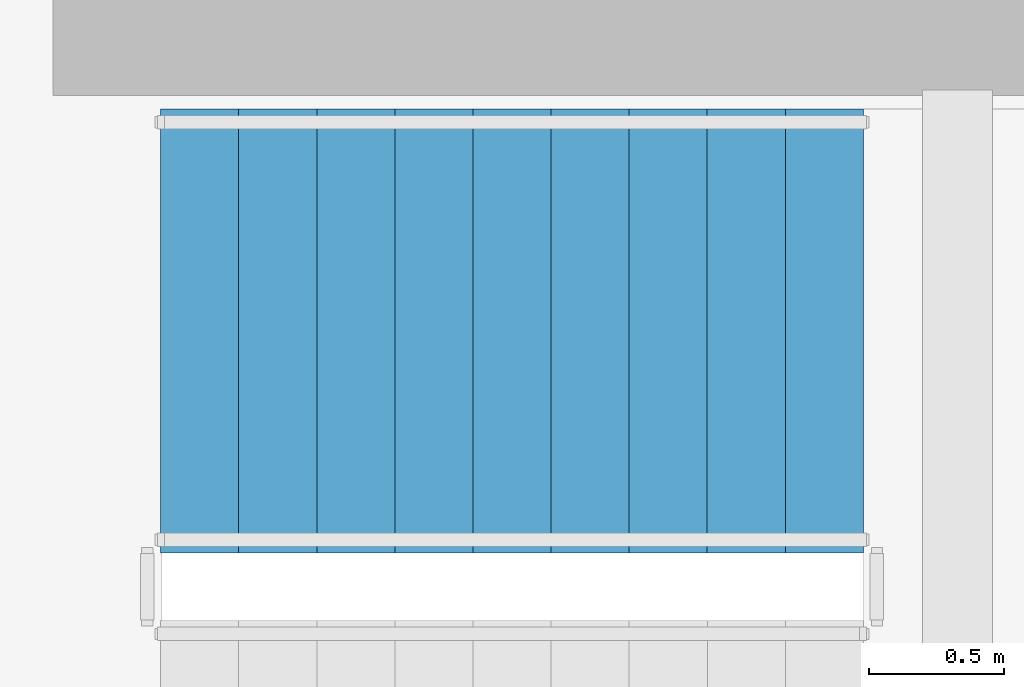
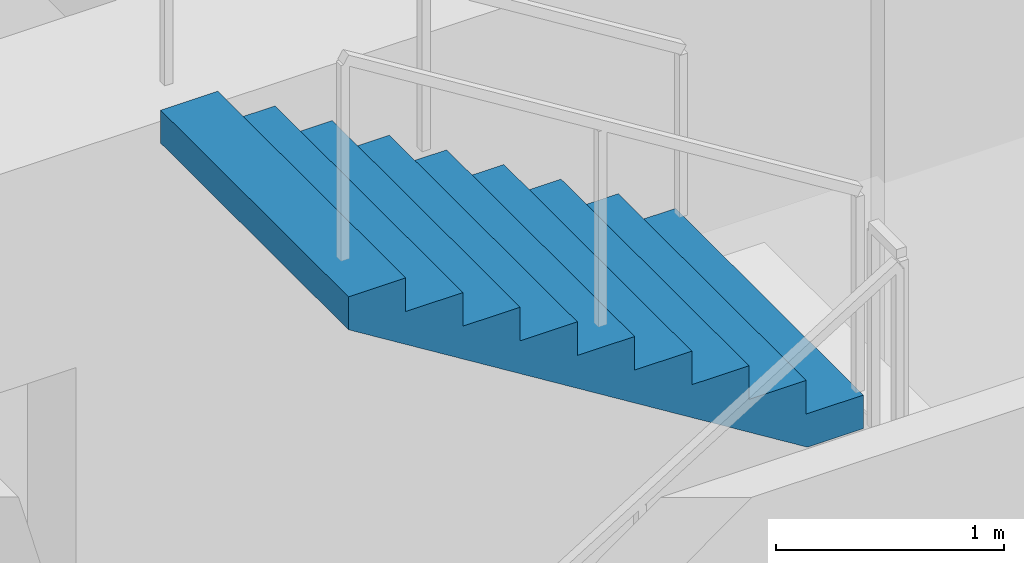
# One storey, part 12 of 14: 1 stair flight, 1 element without a shape of its own.
"""IFC4 building model written with IfcOpenShell, lengths in metres."""

from ifc_helpers import new_model, si_unit, derived_unit, direction, frame, origin, place, context, subcontext, project, spatial, polyline, outline, extrude, material, type_object, element, aggregate, save


model = new_model("IFC4")

# Units and contexts
model_context = context("Model", 3, precision=1e-05, world=origin(), true_north=direction((0.0, 1.0)))
body_context = subcontext(model_context, "Body", "Model", "MODEL_VIEW")
ifc_project = project(units=[si_unit("LENGTHUNIT", "METRE"), si_unit("AREAUNIT", "SQUARE_METRE"), si_unit("VOLUMEUNIT", "CUBIC_METRE"), si_unit("PLANEANGLEUNIT", "RADIAN"), si_unit("MASSUNIT", "GRAM", prefix="KILO"), derived_unit("THERMALTRANSMITTANCEUNIT", [(si_unit("POWERUNIT", "WATT"), 1), (si_unit("LENGTHUNIT", "METRE"), -2), (si_unit("THERMODYNAMICTEMPERATUREUNIT", "KELVIN"), -1)])], contexts=[model_context])

# Site, building, storey
site_placement = place(None, origin())
site = spatial("IfcSite", under=ifc_project, at=site_placement, CompositionType="ELEMENT")
building_placement = place(site_placement, origin())
building = spatial("IfcBuilding", under=site, at=building_placement, Name="Koralith Skygarden Medical Center", CompositionType="ELEMENT")
storey_placement = place(building_placement, frame((0.0, 0.0, 34.739990234375)))
storey = spatial("IfcBuildingStorey", under=building, at=storey_placement, Name="L08", CompositionType="ELEMENT", Elevation=34.739990234375)

# Stair, stair flight
ifc_material = material(Name="Concrete C45/55", Category="concrete")
stair_type = type_object("IfcStairType", Name="Core Exit Dogleg Concrete Stair", PredefinedType="HALF_TURN_STAIR", material=ifc_material)
stair_placement = place(storey_placement, origin())
stair = element("IfcStair", 1, at=stair_placement, inside=storey, type_object=stair_type, Name="L08 Smokeproof Exit Stair ST3", PredefinedType="HALF_TURN_STAIR")
stair_flight_type = type_object("IfcStairFlightType", Name="Core Exit Concrete Stair Flight 1650", PredefinedType="STRAIGHT", material=ifc_material)
stair_flight_placement = place(storey_placement, frame((35.409912109375, 33.175048828125, 1.800048828125), z_axis=(0.0, 0.0, 1.0), x_axis=(-1.0, 0.0, 0.0)))
stair_flight = element("IfcStairFlight", 2, at=stair_flight_placement, type_object=stair_flight_type, Name="ST3 flight 2", NumberOfRisers=10, NumberOfTreads=9, PredefinedType="STRAIGHT", RiserHeight=0.18, TreadLength=0.29, context=body_context, shape_type="SweptSolid", body=[
    extrude(outline(polyline([(0.0, 0.0), (0.0, 0.179931640625), (0.2900390625, 0.179931640625), (0.2900390625, 0.360107421875), (0.580078125, 0.360107421875), (0.580078125, 0.5400390625), (0.8701171875, 0.5400390625), (0.8701171875, 0.719970703125), (1.159912109375, 0.719970703125), (1.159912109375, 0.89990234375), (1.449951171875, 0.89990234375), (1.449951171875, 1.080078125), (1.739990234375, 1.080078125), (1.739990234375, 1.260009765625), (2.030029296875, 1.260009765625), (2.030029296875, 1.43994140625), (2.320068359375, 1.43994140625), (2.320068359375, 1.6201171875), (2.610107421875, 1.6201171875), (2.610107421875, 1.800048828125), (2.610107421875, 1.443603515625), (0.2841796875, 0.0), (0.0, 0.0)])), frame((0.0, 0.824951171875, 0.0), z_axis=(0.0, -1.0, 0.0), x_axis=(1.0, 0.0, 0.0)), (0.0, 0.0, 1.0), 1.64990234375),
])
aggregate(stair, [stair_flight])

save(model, "model.ifc")
